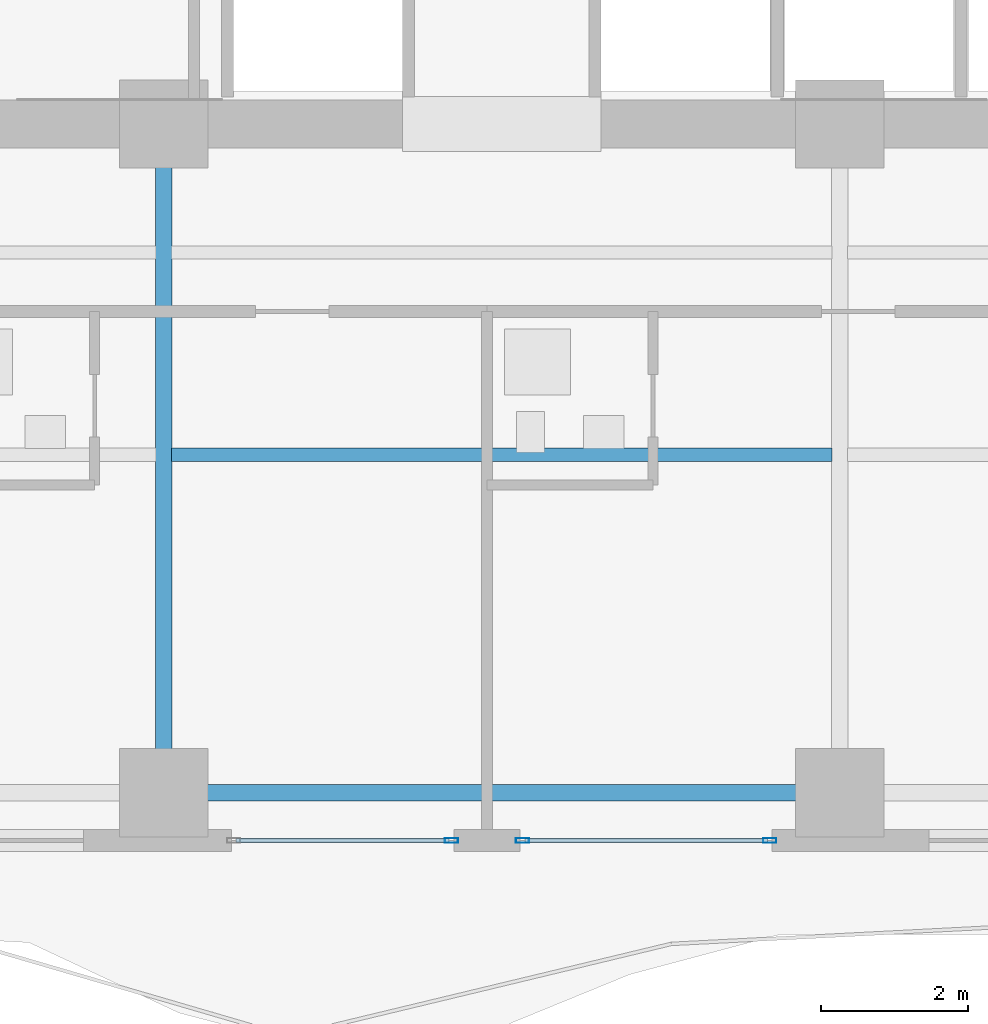
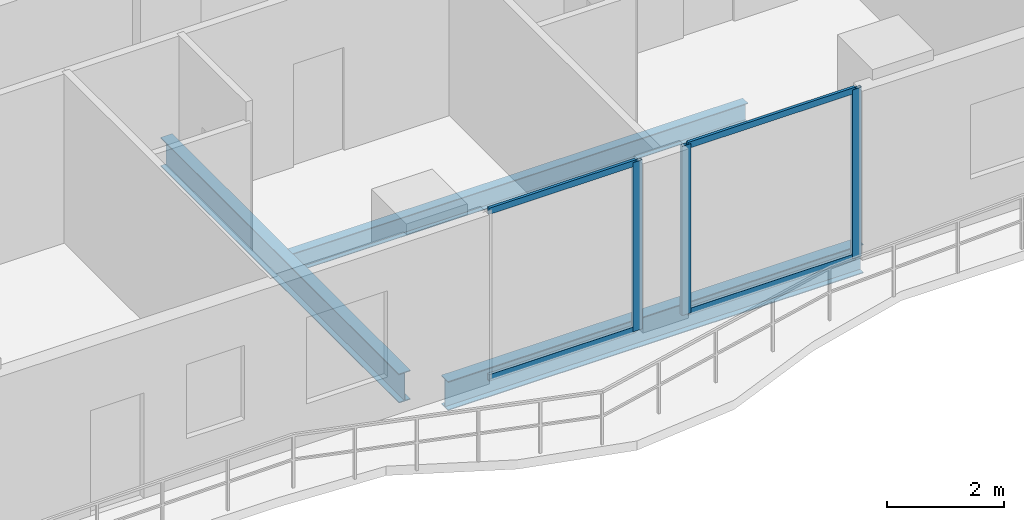
# One storey, part 6 of 32: 7 members, 3 beams, 2 elements without a shape of their own.
"""IFC4 building model written with IfcOpenShell, lengths in metres."""

from ifc_helpers import new_model, si_unit, direction, frame, origin, origin_2d, place, context, subcontext, project, spatial, hollow_rectangle, i_section, extrude, material, layer, layer_set, material_profile, profile_set, type_object, element, aggregate, save


model = new_model("IFC4")

# Units and contexts
model_context = context("Model", 3, precision=1e-05, world=origin(), true_north=direction((0.0, 1.0)))
body_context = subcontext(model_context, "Body", "Model", "MODEL_VIEW")
ifc_project = project(units=[si_unit("LENGTHUNIT", "METRE"), si_unit("AREAUNIT", "SQUARE_METRE"), si_unit("VOLUMEUNIT", "CUBIC_METRE"), si_unit("PLANEANGLEUNIT", "RADIAN"), si_unit("MASSUNIT", "GRAM", prefix="KILO")], contexts=[model_context])

# Site, building, storey
site_placement = place(None, origin())
site = spatial("IfcSite", under=ifc_project, at=site_placement, CompositionType="ELEMENT")
building_placement = place(site_placement, origin())
building = spatial("IfcBuilding", under=site, at=building_placement, Name="Zuhayl Quay Hotel", CompositionType="ELEMENT")
storey_placement = place(building_placement, frame((0.0, 0.0, 203.64990234375)))
storey = spatial("IfcBuildingStorey", under=building, at=storey_placement, Name="L51", CompositionType="ELEMENT", Elevation=203.64990234375)

# Beams
ifc_material_1 = material(Name="Steel ASTM A992 Grade 50", Category="steel")
ifc_material_profile_1 = material_profile(ifc_material_1, i_section(OverallWidth=0.22802734375, OverallDepth=0.60693359375, WebThickness=0.01123046875, FlangeThickness=0.017333984375, at=origin_2d()), Name="W24X76")
ifc_profile_set_1 = profile_set([ifc_material_profile_1], Name="Steel ASTM A992 Grade 50")
beam_type_1 = type_object("IfcBeamType", Name="BM_B3_W24X76", PredefinedType="BEAM", material=ifc_profile_set_1)
beam_1_placement = place(storey_placement, frame((-4.10009765625, -6.949951171875, -0.5234375), z_axis=(1.0, 0.0, 0.0), x_axis=(0.0, 1.0, 0.0)))
element("IfcBeam", 1, at=beam_1_placement, inside=storey, type_object=beam_type_1, Name="L51 Floor Beam RG_L51_02", PredefinedType="BEAM", context=body_context, shape_type="SweptSolid", body=[
    extrude(i_section(OverallWidth=0.22802734375, OverallDepth=0.60693359375, WebThickness=0.01123046875, FlangeThickness=0.017333984375, at=origin_2d()), origin(), (0.0, 0.0, 1.0), 8.2001953125),
])
beam_2_placement = place(storey_placement, frame((-4.60009765625, -6.449951171875, -0.5234375), z_axis=(0.0, 1.0, 0.0), x_axis=(-1.0, 0.0, 0.0)))
element("IfcBeam", 2, at=beam_2_placement, inside=storey, type_object=beam_type_1, Name="L51 Floor Beam FG_S_L51_2", PredefinedType="BEAM", context=body_context, shape_type="SweptSolid", body=[
    extrude(i_section(OverallWidth=0.22802734375, OverallDepth=0.60693359375, WebThickness=0.01123046875, FlangeThickness=0.017333984375, at=origin_2d()), origin(), (0.0, 0.0, 1.0), 8.14990234375),
])
ifc_material_profile_2 = material_profile(ifc_material_1, i_section(OverallWidth=0.177978515625, OverallDepth=0.406005859375, WebThickness=0.0078125, FlangeThickness=0.0126953125, at=origin_2d()), Name="W16X40")
ifc_profile_set_2 = profile_set([ifc_material_profile_2], Name="Steel ASTM A992 Grade 50")
beam_type_2 = type_object("IfcBeamType", Name="BM_J2B_W16X40", PredefinedType="JOIST", material=ifc_profile_set_2)
beam_3_placement = place(storey_placement, frame((-4.493896484375, -2.35009765625, -0.4228515625), z_axis=(1.0, 0.0, 0.0), x_axis=(0.0, 1.0, 0.0)))
element("IfcBeam", 3, at=beam_3_placement, inside=storey, type_object=beam_type_2, Name="L51 Floor Beam FJ_L51_7_2", PredefinedType="JOIST", context=body_context, shape_type="SweptSolid", body=[
    extrude(i_section(OverallWidth=0.177978515625, OverallDepth=0.406005859375, WebThickness=0.0078125, FlangeThickness=0.0126953125, at=origin_2d()), origin(), (0.0, 0.0, 1.0), 8.98779296875),
])

# Curtain wall, members
ifc_material_2 = material(Name="Anodised Aluminium 6063-T6", Category="aluminium")
ifc_layer = layer(ifc_material_2, 0.175048828125, Name="Anodised Aluminium 6063-T6", Category="aluminium")
ifc_layer_set = layer_set([ifc_layer], Name="Anodised Aluminium 6063-T6")
curtain_wall_type = type_object("IfcCurtainWallType", Name="CW_SYS_Z3", PredefinedType="USERDEFINED", material=ifc_layer_set)
curtain_wall_1_placement = place(storey_placement, origin())
curtain_wall_1 = element("IfcCurtainWall", 4, at=curtain_wall_1_placement, inside=storey, type_object=curtain_wall_type, Name="L51 Curtain Wall ENV_L51_S_CW3", ObjectType="UNITISED CURTAIN WALL", PredefinedType="USERDEFINED")
ifc_material_3 = material(Name="Black-anodised aluminium 6063-T6", Category="aluminium")
ifc_material_profile_3 = material_profile(ifc_material_3, hollow_rectangle(XDim=0.06494140625, YDim=0.179931640625, WallThickness=0.00341796875, at=origin_2d()), Name="ALU180X65")
ifc_profile_set_3 = profile_set([ifc_material_profile_3], Name="Black-anodised aluminium 6063-T6")
member_type_1 = type_object("IfcMemberType", Name="MB_CW_MUL_180", PredefinedType="MULLION", material=ifc_profile_set_3)
member_1_placement = place(storey_placement, frame((3.6474609375, -7.60009765625, 0.0), z_axis=(0.0, 0.0, 1.0), x_axis=(0.0, -1.0, 0.0)))
member_1 = element("IfcMember", 5, at=member_1_placement, type_object=member_type_1, Name="CW-Z3 mullion 1", PredefinedType="MULLION", context=body_context, shape_type="SweptSolid", body=[
    extrude(hollow_rectangle(XDim=0.06494140625, YDim=0.179931640625, WallThickness=0.00341796875, at=origin_2d()), origin(), (0.0, 0.0, 1.0), 3.530029296875),
])
member_2_placement = place(storey_placement, frame((0.282470703125, -7.60009765625, 0.0), z_axis=(0.0, 0.0, 1.0), x_axis=(0.0, -1.0, 0.0)))
member_2 = element("IfcMember", 6, at=member_2_placement, type_object=member_type_1, Name="CW-Z3 mullion 2", PredefinedType="MULLION", context=body_context, shape_type="SweptSolid", body=[
    extrude(hollow_rectangle(XDim=0.06494140625, YDim=0.179931640625, WallThickness=0.00341796875, at=origin_2d()), origin(), (0.0, 0.0, 1.0), 3.530029296875),
])

# Curtain wall, member
curtain_wall_2_placement = place(storey_placement, origin())
curtain_wall_2 = element("IfcCurtainWall", 7, at=curtain_wall_2_placement, inside=storey, type_object=curtain_wall_type, Name="L51 Curtain Wall ENV_L51_S_CW4", ObjectType="UNITISED CURTAIN WALL", PredefinedType="USERDEFINED")
member_3_placement = place(storey_placement, frame((-0.6826171875, -7.60009765625, 0.0), z_axis=(0.0, 0.0, 1.0), x_axis=(0.0, -1.0, 0.0)))
member_3 = element("IfcMember", 8, at=member_3_placement, type_object=member_type_1, Name="CW-Z3 mullion 1", PredefinedType="MULLION", context=body_context, shape_type="SweptSolid", body=[
    extrude(hollow_rectangle(XDim=0.06494140625, YDim=0.179931640625, WallThickness=0.00341796875, at=origin_2d()), origin(), (0.0, 0.0, 1.0), 3.530029296875),
])

# Member
ifc_material_profile_4 = material_profile(ifc_material_3, hollow_rectangle(XDim=0.054931640625, YDim=0.1298828125, WallThickness=0.0029296875, at=origin_2d()), Name="ALU130X55")
ifc_profile_set_4 = profile_set([ifc_material_profile_4], Name="Black-anodised aluminium 6063-T6")
member_type_2 = type_object("IfcMemberType", Name="MB_CW_TRN_130", PredefinedType="USERDEFINED", material=ifc_profile_set_4)
member_4_placement = place(storey_placement, frame((3.614990234375, -7.60009765625, 0.027587890625), z_axis=(-1.0, 0.0, 0.0), x_axis=(0.0, -1.0, 0.0)))
member_4 = element("IfcMember", 9, at=member_4_placement, type_object=member_type_2, Name="CW-Z3 transom 1.1", ObjectType="TRANSOM", PredefinedType="USERDEFINED", context=body_context, shape_type="SweptSolid", body=[
    extrude(hollow_rectangle(XDim=0.054931640625, YDim=0.1298828125, WallThickness=0.0029296875, at=origin_2d()), origin(), (0.0, 0.0, 1.0), 3.300048828125),
])

member_5_placement = place(storey_placement, frame((3.614990234375, -7.60009765625, 3.502685546875), z_axis=(-1.0, 0.0, 0.0), x_axis=(0.0, -1.0, 0.0)))
member_5 = element("IfcMember", 10, at=member_5_placement, type_object=member_type_2, Name="CW-Z3 transom 1.2", ObjectType="TRANSOM", PredefinedType="USERDEFINED", context=body_context, shape_type="SweptSolid", body=[
    extrude(hollow_rectangle(XDim=0.054931640625, YDim=0.1298828125, WallThickness=0.0029296875, at=origin_2d()), origin(), (0.0, 0.0, 1.0), 3.300048828125),
])

aggregate(curtain_wall_1, [member_1, member_2, member_4, member_5])

member_6_placement = place(storey_placement, frame((-0.715087890625, -7.60009765625, 0.027587890625), z_axis=(-1.0, 0.0, 0.0), x_axis=(0.0, -1.0, 0.0)))
member_6 = element("IfcMember", 11, at=member_6_placement, type_object=member_type_2, Name="CW-Z3 transom 1.1", ObjectType="TRANSOM", PredefinedType="USERDEFINED", context=body_context, shape_type="SweptSolid", body=[
    extrude(hollow_rectangle(XDim=0.054931640625, YDim=0.1298828125, WallThickness=0.0029296875, at=origin_2d()), origin(), (0.0, 0.0, 1.0), 2.89990234375),
])

member_7_placement = place(storey_placement, frame((-0.715087890625, -7.60009765625, 3.502685546875), z_axis=(-1.0, 0.0, 0.0), x_axis=(0.0, -1.0, 0.0)))
member_7 = element("IfcMember", 12, at=member_7_placement, type_object=member_type_2, Name="CW-Z3 transom 1.2", ObjectType="TRANSOM", PredefinedType="USERDEFINED", context=body_context, shape_type="SweptSolid", body=[
    extrude(hollow_rectangle(XDim=0.054931640625, YDim=0.1298828125, WallThickness=0.0029296875, at=origin_2d()), origin(), (0.0, 0.0, 1.0), 2.89990234375),
])

aggregate(curtain_wall_2, [member_3, member_6, member_7])

save(model, "model.ifc")
